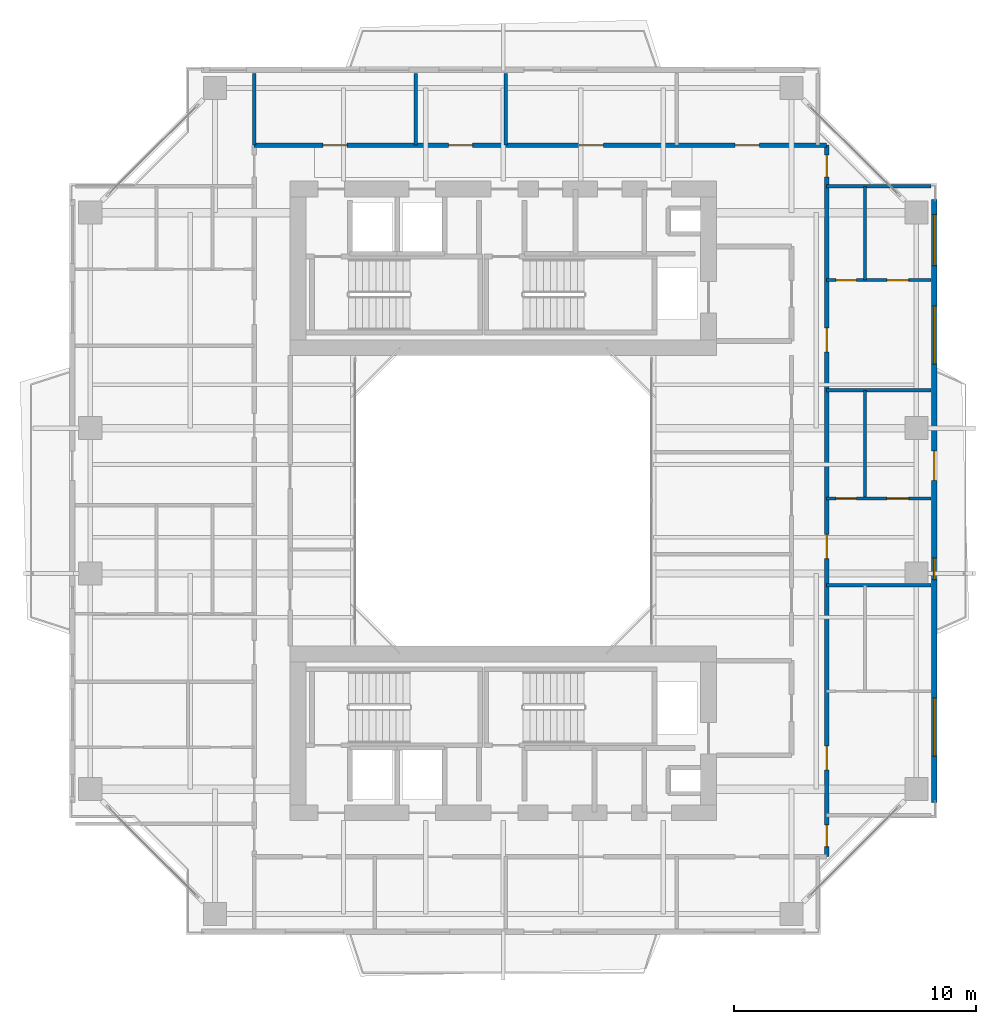
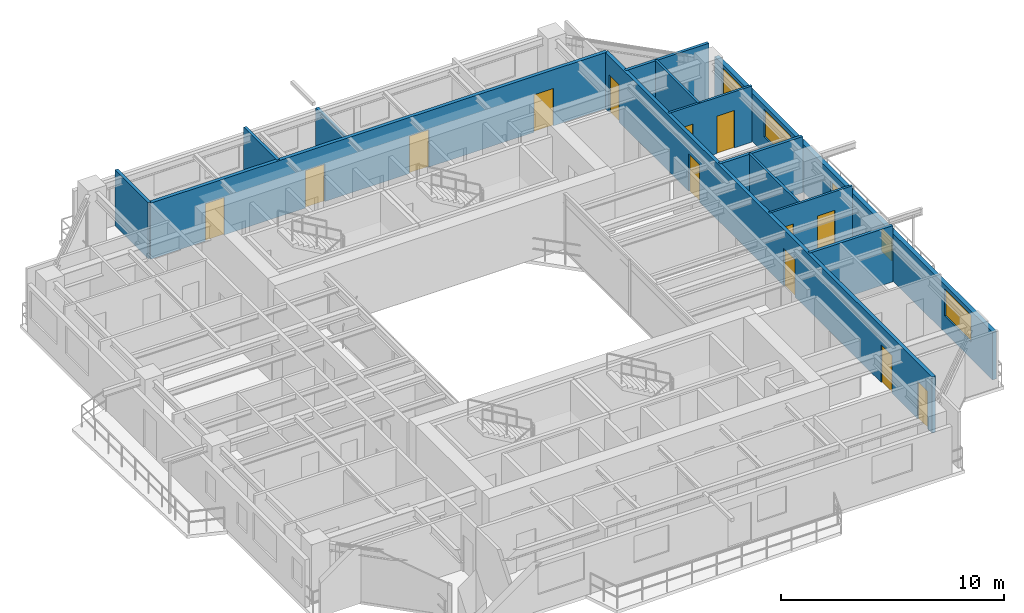
# One storey, part 14 of 18: 14 doors, 13 walls, 4 windows, 18 openings.
"""IFC4 building model written with IfcOpenShell, lengths in metres."""

from ifc_helpers import new_model, si_unit, direction, frame, frame_2d, origin, place, context, subcontext, project, spatial, rectangle, extrude, source, transform, mapped, material, layer, layer_set, type_object, element, fill, save


model = new_model("IFC4")

# Units and contexts
model_context = context("Model", 3, precision=1e-05, world=origin(), true_north=direction((0.0, 1.0)))
body_context = subcontext(model_context, "Body", "Model", "MODEL_VIEW")
ifc_project = project(units=[si_unit("LENGTHUNIT", "METRE"), si_unit("AREAUNIT", "SQUARE_METRE"), si_unit("VOLUMEUNIT", "CUBIC_METRE"), si_unit("PLANEANGLEUNIT", "RADIAN"), si_unit("MASSUNIT", "GRAM", prefix="KILO"), si_unit("THERMODYNAMICTEMPERATUREUNIT", "KELVIN"), si_unit("POWERUNIT", "WATT")], contexts=[model_context])

# Site, building, storey
site_placement = place(None, origin())
site = spatial("IfcSite", under=ifc_project, at=site_placement, CompositionType="ELEMENT")
building_placement = place(site_placement, origin())
building = spatial("IfcBuilding", under=site, at=building_placement, Name="Qiaomeng Ring Towers", CompositionType="ELEMENT")
storey_placement = place(building_placement, frame((0.0, 0.0, 179.5)))
storey = spatial("IfcBuildingStorey", under=building, at=storey_placement, Name="L52", CompositionType="ELEMENT", Elevation=179.5)

# Wall, openings, windows, door
ifc_material_1 = material(Name="Precast concrete C40", Category="concrete")
ifc_layer_1 = layer(ifc_material_1, 0.219970703125, Name="Precast concrete C40")
ifc_layer_set_1 = layer_set([ifc_layer_1], Name="Precast concrete C40")
wall_type_1 = type_object("IfcWallType", Name="ARC-WL-EW2", PredefinedType="STANDARD", material=ifc_layer_set_1)
wall_1_placement = place(storey_placement, frame((36.7900390625, 10.550048828125, 0.0), z_axis=(0.0, 0.0, 1.0), x_axis=(0.0, 1.0, 0.0)))
wall_1 = element("IfcWall", 1, at=wall_1_placement, inside=storey, type_object=wall_type_1, Name="L52 Tower 1 E Exterior Wall", PredefinedType="STANDARD", context=body_context, shape_type="SweptSolid", body=[
    extrude(rectangle(XDim=24.89990234375, YDim=0.219970703125, at=frame_2d((12.449951171875, 0.0))), origin(), (0.0, 0.0, 1.0), 2.610107421875),
])
opening_1_placement = place(wall_1_placement, frame((13.300048828125, 0.0, 0.0)))
opening_1 = element("IfcOpeningElement", 2, at=opening_1_placement, cuts=wall_1, Name="Opening BD1", PredefinedType="OPENING", context=body_context, shape_type="SweptSolid", body=[
    extrude(rectangle(XDim=1.199951171875, YDim=2.10009765625, at=frame_2d((0.60009765625, 1.050048828125))), frame((0.0, 0.119873046875, 0.0), z_axis=(0.0, -1.0, 0.0), x_axis=(1.0, 0.0, 0.0)), (0.0, 0.0, 1.0), 0.239990234375),
])
opening_2_placement = place(wall_1_placement, frame((1.912109375, 0.0, 0.89990234375)))
opening_2 = element("IfcOpeningElement", 3, at=opening_2_placement, cuts=wall_1, Name="Opening WN6", PredefinedType="OPENING", context=body_context, shape_type="SweptSolid", body=[
    extrude(rectangle(XDim=2.39990234375, YDim=1.47998046875, at=frame_2d((1.199951171875, 0.739990234375))), frame((0.0, 0.119873046875, 0.0), z_axis=(0.0, -1.0, 0.0), x_axis=(1.0, 0.0, 0.0)), (0.0, 0.0, 1.0), 0.239990234375),
])
opening_3_placement = place(wall_1_placement, frame((22.1650390625, 0.0, 0.89990234375)))
opening_3 = element("IfcOpeningElement", 4, at=opening_3_placement, cuts=wall_1, Name="Opening WN4", PredefinedType="OPENING", context=body_context, shape_type="SweptSolid", body=[
    extrude(rectangle(XDim=2.10009765625, YDim=1.5, at=frame_2d((1.050048828125, 0.75))), frame((0.0, 0.119873046875, 0.0), z_axis=(0.0, -1.0, 0.0), x_axis=(1.0, 0.0, 0.0)), (0.0, 0.0, 1.0), 0.239990234375),
])
opening_4_placement = place(wall_1_placement, frame((18.092529296875, 0.0, 0.89990234375)))
opening_4 = element("IfcOpeningElement", 5, at=opening_4_placement, cuts=wall_1, Name="Opening WN6", PredefinedType="OPENING", context=body_context, shape_type="SweptSolid", body=[
    extrude(rectangle(XDim=2.39990234375, YDim=1.5, at=frame_2d((1.199951171875, 0.75))), frame((0.0, 0.119873046875, 0.0), z_axis=(0.0, -1.0, 0.0), x_axis=(1.0, 0.0, 0.0)), (0.0, 0.0, 1.0), 0.239990234375),
])
opening_5_placement = place(wall_1_placement, frame((9.195068359375, 0.0, 0.89990234375)))
opening_5 = element("IfcOpeningElement", 6, at=opening_5_placement, cuts=wall_1, Name="Opening WN5", PredefinedType="OPENING", context=body_context, shape_type="SweptSolid", body=[
    extrude(rectangle(XDim=0.89990234375, YDim=1.199951171875, at=frame_2d((0.449951171875, 0.60009765625))), frame((0.0, 0.119873046875, 0.0), z_axis=(0.0, -1.0, 0.0), x_axis=(1.0, 0.0, 0.0)), (0.0, 0.0, 1.0), 0.239990234375),
])
ifc_material_2 = material(Name="Low-E dark-grey laminated double glazing", Category="glass")
window_type_1 = type_object("IfcWindowType", Name="ARC-WN-4", PartitioningType="TRIPLE_PANEL_VERTICAL", PredefinedType="WINDOW", material=ifc_material_2)
shared_shape_1 = source(origin(), body_context, "Body", "SweptSolid", [
    extrude(rectangle(XDim=2.10009765625, YDim=1.5, at=frame_2d((1.050048828125, 0.75))), frame((0.0, 0.030029296875, 0.0), z_axis=(0.0, -1.0, 0.0), x_axis=(1.0, 0.0, 0.0)), (0.0, 0.0, 1.0), 0.06005859375),
])
window_1_placement = place(opening_3_placement, origin())
window_1 = element("IfcWindow", 7, at=window_1_placement, inside=storey, type_object=window_type_1, Name="L52 Exterior Window WN4", OverallHeight=1.5, OverallWidth=2.10009765625, PartitioningType="TRIPLE_PANEL_VERTICAL", PredefinedType="WINDOW", context=body_context, shape_type="MappedRepresentation", body=[
    mapped(shared_shape_1, transform((0.0, 0.0, 0.0), x_axis=(1.0, 0.0, 0.0), y_axis=(0.0, 1.0, 0.0), z_axis=(0.0, 0.0, 1.0), scale=1.0)),
])
fill(opening_3, window_1)
window_type_2 = type_object("IfcWindowType", Name="ARC-WN-6", PartitioningType="TRIPLE_PANEL_VERTICAL", PredefinedType="WINDOW", material=ifc_material_2)
shared_shape_2 = source(origin(), body_context, "Body", "SweptSolid", [
    extrude(rectangle(XDim=2.39990234375, YDim=1.47998046875, at=frame_2d((1.199951171875, 0.739990234375))), frame((0.0, 0.030029296875, 0.0), z_axis=(0.0, -1.0, 0.0), x_axis=(1.0, 0.0, 0.0)), (0.0, 0.0, 1.0), 0.06005859375),
])
window_2_placement = place(opening_2_placement, origin())
window_2 = element("IfcWindow", 8, at=window_2_placement, inside=storey, type_object=window_type_2, Name="L52 Exterior Window WN6", OverallHeight=1.47998046875, OverallWidth=2.39990234375, PartitioningType="TRIPLE_PANEL_VERTICAL", PredefinedType="WINDOW", context=body_context, shape_type="MappedRepresentation", body=[
    mapped(shared_shape_2, transform((0.0, 0.0, 0.0), x_axis=(1.0, 0.0, 0.0), y_axis=(0.0, 1.0, 0.0), z_axis=(0.0, 0.0, 1.0), scale=1.0)),
])
fill(opening_2, window_2)
door_type_1 = type_object("IfcDoorType", Name="ARC-DR-BD1", OperationType="NOTDEFINED", PredefinedType="DOOR", material=ifc_material_2)
shared_shape_3 = source(origin(), body_context, "Body", "SweptSolid", [
    extrude(rectangle(XDim=1.199951171875, YDim=2.10009765625, at=frame_2d((0.60009765625, 1.050048828125))), frame((0.0, 0.02490234375, 0.0), z_axis=(0.0, -1.0, 0.0), x_axis=(1.0, 0.0, 0.0)), (0.0, 0.0, 1.0), 0.050048828125),
])
door_1_placement = place(opening_1_placement, origin())
door_1 = element("IfcDoor", 9, at=door_1_placement, inside=storey, type_object=door_type_1, Name="L52 E Balcony Glazed Door", OperationType="SINGLE_SWING_LEFT", OverallHeight=2.10009765625, OverallWidth=1.199951171875, PredefinedType="DOOR", context=body_context, shape_type="MappedRepresentation", body=[
    mapped(shared_shape_3, transform((0.0, 0.0, 0.0), x_axis=(1.0, 0.0, 0.0), y_axis=(0.0, 1.0, 0.0), z_axis=(0.0, 0.0, 1.0), scale=1.0)),
])
fill(opening_1, door_1)
shared_shape_4 = source(origin(), body_context, "Body", "SweptSolid", [
    extrude(rectangle(XDim=2.39990234375, YDim=1.5, at=frame_2d((1.199951171875, 0.75))), frame((0.0, 0.030029296875, 0.0), z_axis=(0.0, -1.0, 0.0), x_axis=(1.0, 0.0, 0.0)), (0.0, 0.0, 1.0), 0.06005859375),
])
window_3_placement = place(opening_4_placement, origin())
window_3 = element("IfcWindow", 10, at=window_3_placement, inside=storey, type_object=window_type_2, Name="L52 Exterior Window WN6", OverallHeight=1.5, OverallWidth=2.39990234375, PartitioningType="TRIPLE_PANEL_VERTICAL", PredefinedType="WINDOW", context=body_context, shape_type="MappedRepresentation", body=[
    mapped(shared_shape_4, transform((0.0, 0.0, 0.0), x_axis=(1.0, 0.0, 0.0), y_axis=(0.0, 1.0, 0.0), z_axis=(0.0, 0.0, 1.0), scale=1.0)),
])
fill(opening_4, window_3)
window_type_3 = type_object("IfcWindowType", Name="ARC-WN-5", PartitioningType="SINGLE_PANEL", PredefinedType="WINDOW", material=ifc_material_2)
shared_shape_5 = source(origin(), body_context, "Body", "SweptSolid", [
    extrude(rectangle(XDim=0.89990234375, YDim=1.199951171875, at=frame_2d((0.449951171875, 0.60009765625))), frame((0.0, 0.030029296875, 0.0), z_axis=(0.0, -1.0, 0.0), x_axis=(1.0, 0.0, 0.0)), (0.0, 0.0, 1.0), 0.06005859375),
])
window_4_placement = place(opening_5_placement, origin())
window_4 = element("IfcWindow", 11, at=window_4_placement, inside=storey, type_object=window_type_3, Name="L52 Exterior Window WN5", OverallHeight=1.199951171875, OverallWidth=0.89990234375, PartitioningType="SINGLE_PANEL", PredefinedType="WINDOW", context=body_context, shape_type="MappedRepresentation", body=[
    mapped(shared_shape_5, transform((0.0, 0.0, 0.0), x_axis=(1.0, 0.0, 0.0), y_axis=(0.0, 1.0, 0.0), z_axis=(0.0, 0.0, 1.0), scale=1.0)),
])
fill(opening_5, window_4)

# Wall, openings, doors
ifc_material_3 = material(Name="Autoclaved aerated concrete block", Category="concrete")
ifc_layer_2 = layer(ifc_material_3, 0.179931640625, Name="Autoclaved aerated concrete block")
ifc_layer_set_2 = layer_set([ifc_layer_2], Name="Autoclaved aerated concrete block")
wall_type_2 = type_object("IfcWallType", Name="ARC-WL-PW2", PredefinedType="PARTITIONING", material=ifc_layer_set_2)
wall_2_placement = place(storey_placement, frame((8.719970703125, 37.679931640625, 0.0), z_axis=(0.0, 0.0, 1.0), x_axis=(1.0, 0.0, 0.0)))
wall_2 = element("IfcWall", 12, at=wall_2_placement, inside=storey, type_object=wall_type_2, Name="L52 Interior Wall PW2", PredefinedType="PARTITIONING", context=body_context, shape_type="SweptSolid", body=[
    extrude(rectangle(XDim=23.630126953125, YDim=0.179931640625, at=frame_2d((11.81494140625, 0.0))), origin(), (0.0, 0.0, 1.0), 3.070068359375),
])
opening_6_placement = place(wall_2_placement, frame((2.830078125, 0.0, 0.0)))
opening_6 = element("IfcOpeningElement", 13, at=opening_6_placement, cuts=wall_2, Name="Opening FD4", PredefinedType="OPENING", context=body_context, shape_type="SweptSolid", body=[
    extrude(rectangle(XDim=1.0, YDim=2.050048828125, at=frame_2d((0.5, 1.02490234375))), frame((0.0, 0.099853515625, 0.0), z_axis=(0.0, -1.0, 0.0), x_axis=(1.0, 0.0, 0.0)), (0.0, 0.0, 1.0), 0.199951171875),
])
opening_7_placement = place(wall_2_placement, frame((8.02001953125, 0.0, 0.0)))
opening_7 = element("IfcOpeningElement", 14, at=opening_7_placement, cuts=wall_2, Name="Opening FD4", PredefinedType="OPENING", context=body_context, shape_type="SweptSolid", body=[
    extrude(rectangle(XDim=1.0, YDim=2.050048828125, at=frame_2d((0.5, 1.02490234375))), frame((0.0, 0.099853515625, 0.0), z_axis=(0.0, -1.0, 0.0), x_axis=(1.0, 0.0, 0.0)), (0.0, 0.0, 1.0), 0.199951171875),
])
opening_8_placement = place(wall_2_placement, frame((13.409912109375, 0.0, 0.0)))
opening_8 = element("IfcOpeningElement", 15, at=opening_8_placement, cuts=wall_2, Name="Opening FD4", PredefinedType="OPENING", context=body_context, shape_type="SweptSolid", body=[
    extrude(rectangle(XDim=1.0, YDim=2.050048828125, at=frame_2d((0.5, 1.02490234375))), frame((0.0, 0.099853515625, 0.0), z_axis=(0.0, -1.0, 0.0), x_axis=(1.0, 0.0, 0.0)), (0.0, 0.0, 1.0), 0.199951171875),
])
opening_9_placement = place(wall_2_placement, frame((19.85009765625, 0.0, 0.0)))
opening_9 = element("IfcOpeningElement", 16, at=opening_9_placement, cuts=wall_2, Name="Opening FD4", PredefinedType="OPENING", context=body_context, shape_type="SweptSolid", body=[
    extrude(rectangle(XDim=1.0, YDim=2.050048828125, at=frame_2d((0.5, 1.02490234375))), frame((0.0, 0.099853515625, 0.0), z_axis=(0.0, -1.0, 0.0), x_axis=(1.0, 0.0, 0.0)), (0.0, 0.0, 1.0), 0.199951171875),
])
ifc_material_4 = material(Name="Engineered fire-rated oak timber", Category="wood")
door_type_2 = type_object("IfcDoorType", Name="ARC-DR-FD4", OperationType="NOTDEFINED", PredefinedType="DOOR", material=ifc_material_4)
shared_shape_6 = source(origin(), body_context, "Body", "SweptSolid", [
    extrude(rectangle(XDim=1.0, YDim=2.050048828125, at=frame_2d((0.5, 1.02490234375))), frame((0.0, 0.02490234375, 0.0), z_axis=(0.0, -1.0, 0.0), x_axis=(1.0, 0.0, 0.0)), (0.0, 0.0, 1.0), 0.050048828125),
])
door_2_placement = place(opening_6_placement, origin())
door_2 = element("IfcDoor", 17, at=door_2_placement, inside=storey, type_object=door_type_2, Name="L52 Door FD4", OperationType="SINGLE_SWING_LEFT", OverallHeight=2.050048828125, OverallWidth=1.0, PredefinedType="DOOR", context=body_context, shape_type="MappedRepresentation", body=[
    mapped(shared_shape_6, transform((0.0, 0.0, 0.0), x_axis=(1.0, 0.0, 0.0), y_axis=(0.0, 1.0, 0.0), z_axis=(0.0, 0.0, 1.0), scale=1.0)),
])
fill(opening_6, door_2)
door_3_placement = place(opening_7_placement, origin())
door_3 = element("IfcDoor", 18, at=door_3_placement, inside=storey, type_object=door_type_2, Name="L52 Door FD4", OperationType="SINGLE_SWING_RIGHT", OverallHeight=2.050048828125, OverallWidth=1.0, PredefinedType="DOOR", context=body_context, shape_type="MappedRepresentation", body=[
    mapped(shared_shape_6, transform((0.0, 0.0, 0.0), x_axis=(1.0, 0.0, 0.0), y_axis=(0.0, 1.0, 0.0), z_axis=(0.0, 0.0, 1.0), scale=1.0)),
])
fill(opening_7, door_3)
door_4_placement = place(opening_8_placement, origin())
door_4 = element("IfcDoor", 19, at=door_4_placement, inside=storey, type_object=door_type_2, Name="L52 Door FD4", OperationType="SINGLE_SWING_LEFT", OverallHeight=2.050048828125, OverallWidth=1.0, PredefinedType="DOOR", context=body_context, shape_type="MappedRepresentation", body=[
    mapped(shared_shape_6, transform((0.0, 0.0, 0.0), x_axis=(1.0, 0.0, 0.0), y_axis=(0.0, 1.0, 0.0), z_axis=(0.0, 0.0, 1.0), scale=1.0)),
])
fill(opening_8, door_4)
door_5_placement = place(opening_9_placement, origin())
door_5 = element("IfcDoor", 20, at=door_5_placement, inside=storey, type_object=door_type_2, Name="L52 Door FD4", OperationType="SINGLE_SWING_RIGHT", OverallHeight=2.050048828125, OverallWidth=1.0, PredefinedType="DOOR", context=body_context, shape_type="MappedRepresentation", body=[
    mapped(shared_shape_6, transform((0.0, 0.0, 0.0), x_axis=(1.0, 0.0, 0.0), y_axis=(0.0, 1.0, 0.0), z_axis=(0.0, 0.0, 1.0), scale=1.0)),
])
fill(opening_9, door_5)

wall_3_placement = place(storey_placement, frame((32.35009765625, 8.31005859375, 0.0), z_axis=(0.0, 0.0, 1.0), x_axis=(0.0, 1.0, 0.0)))
wall_3 = element("IfcWall", 21, at=wall_3_placement, inside=storey, type_object=wall_type_2, Name="L52 Interior Wall PW2", PredefinedType="PARTITIONING", context=body_context, shape_type="SweptSolid", body=[
    extrude(rectangle(XDim=29.369873046875, YDim=0.179931640625, at=frame_2d((14.68505859375, 0.0))), origin(), (0.0, 0.0, 1.0), 3.070068359375),
])
opening_10_placement = place(wall_3_placement, frame((28.06005859375, 0.0, 0.0)))
opening_10 = element("IfcOpeningElement", 22, at=opening_10_placement, cuts=wall_3, Name="Opening ID1", PredefinedType="OPENING", context=body_context, shape_type="SweptSolid", body=[
    extrude(rectangle(XDim=0.89990234375, YDim=2.050048828125, at=frame_2d((0.449951171875, 1.02490234375))), frame((0.0, 0.099853515625, 0.0), z_axis=(0.0, -1.0, 0.0), x_axis=(1.0, 0.0, 0.0)), (0.0, 0.0, 1.0), 0.199951171875),
])
opening_11_placement = place(wall_3_placement, frame((0.4150390625, 0.0, 0.0)))
opening_11 = element("IfcOpeningElement", 23, at=opening_11_placement, cuts=wall_3, Name="Opening ID1", PredefinedType="OPENING", context=body_context, shape_type="SweptSolid", body=[
    extrude(rectangle(XDim=0.89990234375, YDim=2.050048828125, at=frame_2d((0.449951171875, 1.02490234375))), frame((0.0, 0.099853515625, 0.0), z_axis=(0.0, -1.0, 0.0), x_axis=(1.0, 0.0, 0.0)), (0.0, 0.0, 1.0), 0.199951171875),
])
opening_12_placement = place(wall_3_placement, frame((3.580078125, 0.0, 0.0)))
opening_12 = element("IfcOpeningElement", 24, at=opening_12_placement, cuts=wall_3, Name="Opening FD4", PredefinedType="OPENING", context=body_context, shape_type="SweptSolid", body=[
    extrude(rectangle(XDim=1.0, YDim=2.050048828125, at=frame_2d((0.5, 1.02490234375))), frame((0.0, 0.099853515625, 0.0), z_axis=(0.0, -1.0, 0.0), x_axis=(1.0, 0.0, 0.0)), (0.0, 0.0, 1.0), 0.199951171875),
])
opening_13_placement = place(wall_3_placement, frame((12.304931640625, 0.0, 0.0)))
opening_13 = element("IfcOpeningElement", 25, at=opening_13_placement, cuts=wall_3, Name="Opening FD4", PredefinedType="OPENING", context=body_context, shape_type="SweptSolid", body=[
    extrude(rectangle(XDim=1.0, YDim=2.050048828125, at=frame_2d((0.5, 1.02490234375))), frame((0.0, 0.099853515625, 0.0), z_axis=(0.0, -1.0, 0.0), x_axis=(1.0, 0.0, 0.0)), (0.0, 0.0, 1.0), 0.199951171875),
])
opening_14_placement = place(wall_3_placement, frame((20.8349609375, 0.0, 0.0)))
opening_14 = element("IfcOpeningElement", 26, at=opening_14_placement, cuts=wall_3, Name="Opening FD4", PredefinedType="OPENING", context=body_context, shape_type="SweptSolid", body=[
    extrude(rectangle(XDim=1.0, YDim=2.050048828125, at=frame_2d((0.5, 1.02490234375))), frame((0.0, 0.099853515625, 0.0), z_axis=(0.0, -1.0, 0.0), x_axis=(1.0, 0.0, 0.0)), (0.0, 0.0, 1.0), 0.199951171875),
])
door_6_placement = place(opening_12_placement, origin())
door_6 = element("IfcDoor", 27, at=door_6_placement, inside=storey, type_object=door_type_2, Name="L52 Door FD4", OperationType="SINGLE_SWING_LEFT", OverallHeight=2.050048828125, OverallWidth=1.0, PredefinedType="DOOR", context=body_context, shape_type="MappedRepresentation", body=[
    mapped(shared_shape_6, transform((0.0, 0.0, 0.0), x_axis=(1.0, 0.0, 0.0), y_axis=(0.0, 1.0, 0.0), z_axis=(0.0, 0.0, 1.0), scale=1.0)),
])
fill(opening_12, door_6)
door_7_placement = place(opening_13_placement, origin())
door_7 = element("IfcDoor", 28, at=door_7_placement, inside=storey, type_object=door_type_2, Name="L52 Door FD4", OperationType="SINGLE_SWING_RIGHT", OverallHeight=2.050048828125, OverallWidth=1.0, PredefinedType="DOOR", context=body_context, shape_type="MappedRepresentation", body=[
    mapped(shared_shape_6, transform((0.0, 0.0, 0.0), x_axis=(1.0, 0.0, 0.0), y_axis=(0.0, 1.0, 0.0), z_axis=(0.0, 0.0, 1.0), scale=1.0)),
])
fill(opening_13, door_7)
door_8_placement = place(opening_14_placement, origin())
door_8 = element("IfcDoor", 29, at=door_8_placement, inside=storey, type_object=door_type_2, Name="L52 Door FD4", OperationType="SINGLE_SWING_LEFT", OverallHeight=2.050048828125, OverallWidth=1.0, PredefinedType="DOOR", context=body_context, shape_type="MappedRepresentation", body=[
    mapped(shared_shape_6, transform((0.0, 0.0, 0.0), x_axis=(1.0, 0.0, 0.0), y_axis=(0.0, 1.0, 0.0), z_axis=(0.0, 0.0, 1.0), scale=1.0)),
])
fill(opening_14, door_8)
ifc_material_5 = material(Name="Engineered oak timber", Category="wood")
door_type_3 = type_object("IfcDoorType", Name="ARC-DR-ID1", OperationType="NOTDEFINED", PredefinedType="DOOR", material=ifc_material_5)
shared_shape_7 = source(origin(), body_context, "Body", "SweptSolid", [
    extrude(rectangle(XDim=0.89990234375, YDim=2.050048828125, at=frame_2d((0.449951171875, 1.02490234375))), frame((0.0, 0.02490234375, 0.0), z_axis=(0.0, -1.0, 0.0), x_axis=(1.0, 0.0, 0.0)), (0.0, 0.0, 1.0), 0.050048828125),
])
door_9_placement = place(opening_10_placement, origin())
door_9 = element("IfcDoor", 30, at=door_9_placement, inside=storey, type_object=door_type_3, Name="L52 Door ID1", OperationType="SINGLE_SWING_LEFT", OverallHeight=2.050048828125, OverallWidth=0.89990234375, PredefinedType="DOOR", context=body_context, shape_type="MappedRepresentation", body=[
    mapped(shared_shape_7, transform((0.0, 0.0, 0.0), x_axis=(1.0, 0.0, 0.0), y_axis=(0.0, 1.0, 0.0), z_axis=(0.0, 0.0, 1.0), scale=1.0)),
])
fill(opening_10, door_9)
door_10_placement = place(opening_11_placement, origin())
door_10 = element("IfcDoor", 31, at=door_10_placement, inside=storey, type_object=door_type_3, Name="L52 Door ID1", OperationType="SINGLE_SWING_RIGHT", OverallHeight=2.050048828125, OverallWidth=0.89990234375, PredefinedType="DOOR", context=body_context, shape_type="MappedRepresentation", body=[
    mapped(shared_shape_7, transform((0.0, 0.0, 0.0), x_axis=(1.0, 0.0, 0.0), y_axis=(0.0, 1.0, 0.0), z_axis=(0.0, 0.0, 1.0), scale=1.0)),
])
fill(opening_11, door_10)

# Walls
ifc_material_6 = material(Name="Gypsum fireboard steel-stud partition", Category="steel")
ifc_layer_3 = layer(ifc_material_6, 0.14990234375, Name="Gypsum fireboard steel-stud partition")
ifc_layer_set_3 = layer_set([ifc_layer_3], Name="Gypsum fireboard steel-stud partition")
wall_type_3 = type_object("IfcWallType", Name="ARC-WL-PW3", PredefinedType="PARTITIONING", material=ifc_layer_set_3)
wall_4_placement = place(storey_placement, frame((15.3798828125, 37.679931640625, 0.0), z_axis=(0.0, 0.0, 1.0), x_axis=(0.0, 1.0, 0.0)))
element("IfcWall", 32, at=wall_4_placement, inside=storey, type_object=wall_type_3, Name="L52 Interior Wall PW3", PredefinedType="PARTITIONING", context=body_context, shape_type="SweptSolid", body=[
    extrude(rectangle(XDim=2.969970703125, YDim=0.14990234375, at=frame_2d((1.48486328125, 0.0))), origin(), (0.0, 0.0, 1.0), 3.070068359375),
])
wall_5_placement = place(storey_placement, frame((19.10009765625, 37.679931640625, 0.0), z_axis=(0.0, 0.0, 1.0), x_axis=(0.0, 1.0, 0.0)))
element("IfcWall", 33, at=wall_5_placement, inside=storey, type_object=wall_type_3, Name="L52 Interior Wall PW3", PredefinedType="PARTITIONING", context=body_context, shape_type="SweptSolid", body=[
    extrude(rectangle(XDim=2.969970703125, YDim=0.14990234375, at=frame_2d((1.48486328125, 0.0))), origin(), (0.0, 0.0, 1.0), 2.821044921875),
])
wall_6_placement = place(storey_placement, frame((8.719970703125, 37.679931640625, 0.0), z_axis=(0.0, 0.0, 1.0), x_axis=(0.0, 1.0, 0.0)))
element("IfcWall", 34, at=wall_6_placement, inside=storey, type_object=wall_type_3, Name="L52 Interior Wall PW3", PredefinedType="PARTITIONING", context=body_context, shape_type="SweptSolid", body=[
    extrude(rectangle(XDim=2.969970703125, YDim=0.14990234375, at=frame_2d((1.48486328125, 0.0))), origin(), (0.0, 0.0, 1.0), 3.070068359375),
])
for number, where, z_axis, x_axis, name in (
    (35, (32.35009765625, 35.97998046875, 0.0), (0.0, 0.0, 1.0), (1.0, 0.0, 0.0), "L52 Interior Wall PW3"),
    (36, (32.35009765625, 19.510009765625, 0.0), (0.0, 0.0, 1.0), (1.0, 0.0, 0.0), "L52 Interior Wall PW3"),
    (37, (32.35009765625, 27.56005859375, 0.0), (0.0, 0.0, 1.0), (1.0, 0.0, 0.0), "L52 Interior Wall PW3"),
):
    element("IfcWall", number, at=place(storey_placement, frame(where, z_axis=z_axis, x_axis=x_axis)), inside=storey, type_object=wall_type_3, Name=name, PredefinedType="PARTITIONING", context=body_context, shape_type="SweptSolid", body=[
        extrude(rectangle(XDim=4.2998046875, YDim=0.14990234375, at=frame_2d((2.14990234375, 0.0))), origin(), (0.0, 0.0, 1.0), 3.070068359375),
    ])

# Wall, openings, doors
ifc_material_7 = material(Name="Moisture-resistant gypsum steel-stud partition", Category="steel")
ifc_layer_4 = layer(ifc_material_7, 0.1201171875, Name="Moisture-resistant gypsum steel-stud partition")
ifc_layer_set_4 = layer_set([ifc_layer_4], Name="Moisture-resistant gypsum steel-stud partition")
wall_type_4 = type_object("IfcWallType", Name="ARC-WL-PW4", PredefinedType="PLUMBINGWALL", material=ifc_layer_set_4)
wall_7_placement = place(storey_placement, frame((32.35009765625, 23.10009765625, 0.0), z_axis=(0.0, 0.0, 1.0), x_axis=(1.0, 0.0, 0.0)))
wall_7 = element("IfcWall", 38, at=wall_7_placement, inside=storey, type_object=wall_type_4, Name="L52 Interior Wall PW4", PredefinedType="PLUMBINGWALL", context=body_context, shape_type="SweptSolid", body=[
    extrude(rectangle(XDim=4.2998046875, YDim=0.1201171875, at=frame_2d((2.14990234375, 0.0))), origin(), (0.0, 0.0, 1.0), 3.070068359375),
])
opening_15_placement = place(wall_7_placement, frame((0.3798828125, 0.0, 0.0)))
opening_15 = element("IfcOpeningElement", 39, at=opening_15_placement, cuts=wall_7, Name="Opening ID2", PredefinedType="OPENING", context=body_context, shape_type="SweptSolid", body=[
    extrude(rectangle(XDim=0.85009765625, YDim=2.050048828125, at=frame_2d((0.425048828125, 1.02490234375))), frame((0.0, 0.070068359375, 0.0), z_axis=(0.0, -1.0, 0.0), x_axis=(1.0, 0.0, 0.0)), (0.0, 0.0, 1.0), 0.14013671875),
])
opening_16_placement = place(wall_7_placement, frame((2.485107421875, 0.0, 0.0)))
opening_16 = element("IfcOpeningElement", 40, at=opening_16_placement, cuts=wall_7, Name="Opening ID1", PredefinedType="OPENING", context=body_context, shape_type="SweptSolid", body=[
    extrude(rectangle(XDim=0.89990234375, YDim=2.050048828125, at=frame_2d((0.449951171875, 1.02490234375))), frame((0.0, 0.070068359375, 0.0), z_axis=(0.0, -1.0, 0.0), x_axis=(1.0, 0.0, 0.0)), (0.0, 0.0, 1.0), 0.14013671875),
])
ifc_material_8 = material(Name="Moisture-resistant engineered timber", Category="wood")
door_type_4 = type_object("IfcDoorType", Name="ARC-DR-ID2", OperationType="NOTDEFINED", PredefinedType="DOOR", material=ifc_material_8)
shared_shape_8 = source(origin(), body_context, "Body", "SweptSolid", [
    extrude(rectangle(XDim=0.85009765625, YDim=2.050048828125, at=frame_2d((0.425048828125, 1.02490234375))), frame((0.0, 0.02490234375, 0.0), z_axis=(0.0, -1.0, 0.0), x_axis=(1.0, 0.0, 0.0)), (0.0, 0.0, 1.0), 0.050048828125),
])
door_11_placement = place(opening_15_placement, origin())
door_11 = element("IfcDoor", 41, at=door_11_placement, inside=storey, type_object=door_type_4, Name="L52 Door ID2", OperationType="SINGLE_SWING_RIGHT", OverallHeight=2.050048828125, OverallWidth=0.85009765625, PredefinedType="DOOR", context=body_context, shape_type="MappedRepresentation", body=[
    mapped(shared_shape_8, transform((0.0, 0.0, 0.0), x_axis=(1.0, 0.0, 0.0), y_axis=(0.0, 1.0, 0.0), z_axis=(0.0, 0.0, 1.0), scale=1.0)),
])
fill(opening_15, door_11)
door_12_placement = place(opening_16_placement, origin())
door_12 = element("IfcDoor", 42, at=door_12_placement, inside=storey, type_object=door_type_3, Name="L52 Door ID1", OperationType="SINGLE_SWING_LEFT", OverallHeight=2.050048828125, OverallWidth=0.89990234375, PredefinedType="DOOR", context=body_context, shape_type="MappedRepresentation", body=[
    mapped(shared_shape_7, transform((0.0, 0.0, 0.0), x_axis=(1.0, 0.0, 0.0), y_axis=(0.0, 1.0, 0.0), z_axis=(0.0, 0.0, 1.0), scale=1.0)),
])
fill(opening_16, door_12)

# Wall
wall_8_placement = place(storey_placement, frame((33.93994140625, 23.10009765625, 0.0), z_axis=(0.0, 0.0, 1.0), x_axis=(0.0, 1.0, 0.0)))
element("IfcWall", 43, at=wall_8_placement, inside=storey, type_object=wall_type_4, Name="L52 Interior Wall PW4", PredefinedType="PLUMBINGWALL", context=body_context, shape_type="SweptSolid", body=[
    extrude(rectangle(XDim=4.4599609375, YDim=0.1201171875, at=frame_2d((2.22998046875, 0.0))), origin(), (0.0, 0.0, 1.0), 3.070068359375),
])

# Wall, openings, doors
wall_9_placement = place(storey_placement, frame((32.35009765625, 32.110107421875, 0.0), z_axis=(0.0, 0.0, 1.0), x_axis=(1.0, 0.0, 0.0)))
wall_9 = element("IfcWall", 44, at=wall_9_placement, inside=storey, type_object=wall_type_4, Name="L52 Interior Wall PW4", PredefinedType="PLUMBINGWALL", context=body_context, shape_type="SweptSolid", body=[
    extrude(rectangle(XDim=4.2998046875, YDim=0.1201171875, at=frame_2d((2.14990234375, 0.0))), origin(), (0.0, 0.0, 1.0), 3.070068359375),
])
opening_17_placement = place(wall_9_placement, frame((0.3798828125, 0.0, 0.0)))
opening_17 = element("IfcOpeningElement", 45, at=opening_17_placement, cuts=wall_9, Name="Opening ID2", PredefinedType="OPENING", context=body_context, shape_type="SweptSolid", body=[
    extrude(rectangle(XDim=0.85009765625, YDim=2.050048828125, at=frame_2d((0.425048828125, 1.02490234375))), frame((0.0, 0.070068359375, 0.0), z_axis=(0.0, -1.0, 0.0), x_axis=(1.0, 0.0, 0.0)), (0.0, 0.0, 1.0), 0.14013671875),
])
opening_18_placement = place(wall_9_placement, frame((2.485107421875, 0.0, 0.0)))
opening_18 = element("IfcOpeningElement", 46, at=opening_18_placement, cuts=wall_9, Name="Opening ID1", PredefinedType="OPENING", context=body_context, shape_type="SweptSolid", body=[
    extrude(rectangle(XDim=0.89990234375, YDim=2.050048828125, at=frame_2d((0.449951171875, 1.02490234375))), frame((0.0, 0.070068359375, 0.0), z_axis=(0.0, -1.0, 0.0), x_axis=(1.0, 0.0, 0.0)), (0.0, 0.0, 1.0), 0.14013671875),
])
door_13_placement = place(opening_17_placement, origin())
door_13 = element("IfcDoor", 47, at=door_13_placement, inside=storey, type_object=door_type_4, Name="L52 Door ID2", OperationType="SINGLE_SWING_LEFT", OverallHeight=2.050048828125, OverallWidth=0.85009765625, PredefinedType="DOOR", context=body_context, shape_type="MappedRepresentation", body=[
    mapped(shared_shape_8, transform((0.0, 0.0, 0.0), x_axis=(1.0, 0.0, 0.0), y_axis=(0.0, 1.0, 0.0), z_axis=(0.0, 0.0, 1.0), scale=1.0)),
])
fill(opening_17, door_13)
door_14_placement = place(opening_18_placement, origin())
door_14 = element("IfcDoor", 48, at=door_14_placement, inside=storey, type_object=door_type_3, Name="L52 Door ID1", OperationType="SINGLE_SWING_RIGHT", OverallHeight=2.050048828125, OverallWidth=0.89990234375, PredefinedType="DOOR", context=body_context, shape_type="MappedRepresentation", body=[
    mapped(shared_shape_7, transform((0.0, 0.0, 0.0), x_axis=(1.0, 0.0, 0.0), y_axis=(0.0, 1.0, 0.0), z_axis=(0.0, 0.0, 1.0), scale=1.0)),
])
fill(opening_18, door_14)

# Wall
wall_10_placement = place(storey_placement, frame((33.93994140625, 32.110107421875, 0.0), z_axis=(0.0, 0.0, 1.0), x_axis=(0.0, 1.0, 0.0)))
element("IfcWall", 49, at=wall_10_placement, inside=storey, type_object=wall_type_4, Name="L52 Interior Wall PW4", PredefinedType="PLUMBINGWALL", context=body_context, shape_type="SweptSolid", body=[
    extrude(rectangle(XDim=3.869873046875, YDim=0.1201171875, at=frame_2d((1.93505859375, 0.0))), origin(), (0.0, 0.0, 1.0), 3.070068359375),
])

save(model, "model.ifc")
